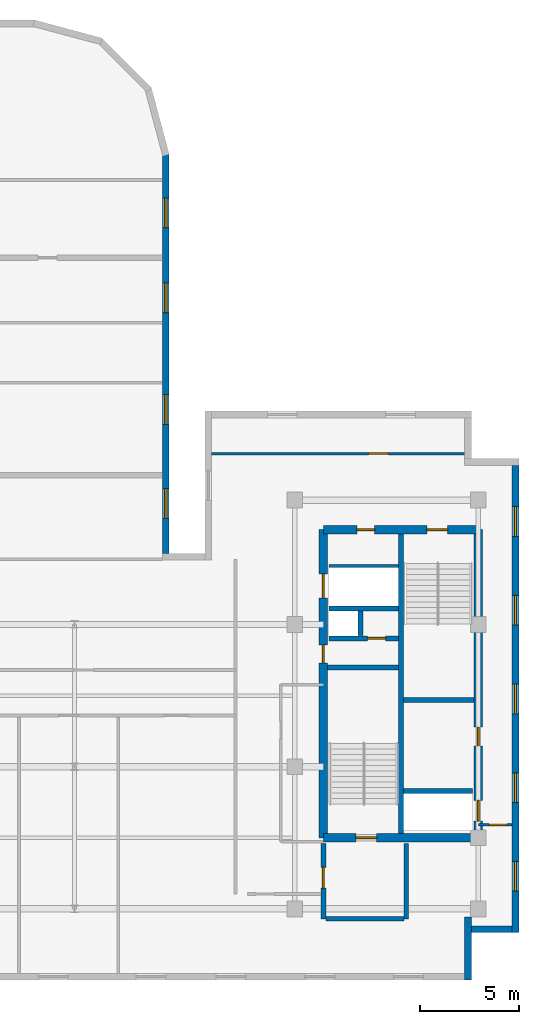
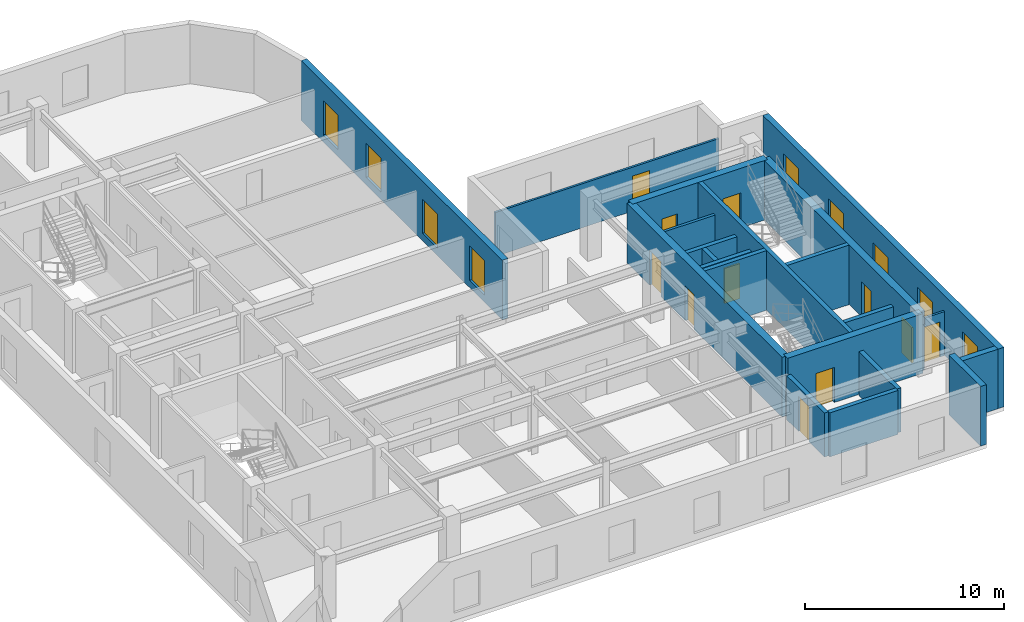
# One storey, part 5 of 10: 21 walls, 11 doors, 9 windows, 20 openings.
"""IFC4 building model written with IfcOpenShell, lengths in metres."""

from ifc_helpers import new_model, entity, si_unit, converted_unit, direction, frame, origin_with_axes, origin_2d_with_axis, place, context, subcontext, project, spatial, polyline, rectangle, outline, extrude, material, layer, layer_set, type_object, element, fill, save


model = new_model("IFC4")

# Units and contexts
model_context = context("Model", 3, precision=1e-05, world=origin_with_axes(), true_north=direction((0.0, 1.0)))
body_context = subcontext(model_context, "Body", "Model", "MODEL_VIEW")
ifc_project = project(units=[si_unit("LENGTHUNIT", "METRE"), si_unit("AREAUNIT", "SQUARE_METRE"), si_unit("VOLUMEUNIT", "CUBIC_METRE"), converted_unit("PLANEANGLEUNIT", "DEGREE", entity("IfcPlaneAngleMeasure", 0.017453292519943295), si_unit("PLANEANGLEUNIT", "RADIAN"), dimensions=[0, 0, 0, 0, 0, 0, 0]), si_unit("MASSUNIT", "GRAM", prefix="KILO"), si_unit("THERMODYNAMICTEMPERATUREUNIT", "KELVIN")], contexts=[model_context])

# Site, building, storey
site_placement = place(None, origin_with_axes())
site = spatial("IfcSite", under=ifc_project, at=site_placement, CompositionType="ELEMENT")
building_placement = place(site_placement, origin_with_axes())
building = spatial("IfcBuilding", under=site, at=building_placement, Name="Varnlund Millrace Tower", CompositionType="ELEMENT")
storey_placement = place(building_placement, frame((0.0, 0.0, 276.3), z_axis=(0.0, 0.0, 1.0), x_axis=(1.0, 0.0, 0.0)))
storey = spatial("IfcBuildingStorey", under=building, at=storey_placement, Name="L68", CompositionType="ELEMENT", Elevation=276.3)

# Wall, openings, doors
ifc_material_1 = material(Name="Concrete C60/75", Category="concrete")
ifc_layer_1 = layer(ifc_material_1, 0.42, Name="Concrete C60/75")
ifc_layer_set_1 = layer_set([ifc_layer_1], Name="Concrete C60/75")
wall_type_1 = type_object("IfcWallType", Name="Type-CoreWall-Shear-420-C60", PredefinedType="SHEAR", material=ifc_layer_set_1)
wall_1_placement = place(storey_placement, frame((40.2, 7.2, 0.0), z_axis=(0.0, 0.0, 1.0), x_axis=(0.0, 1.0, 0.0)))
wall_1 = element("IfcWall", 1, at=wall_1_placement, inside=storey, type_object=wall_type_1, Name="Type-CoreWall-Shear-420-C60", PredefinedType="SHEAR", context=body_context, shape_type="SweptSolid", body=[
    extrude(outline(polyline([(0.0, -0.21), (15.6, -0.21), (15.6, 0.21), (0.0, 0.21), (0.0, -0.21)])), origin_with_axes(), (0.0, 0.0, 1.0), 3.66),
])
opening_1_placement = place(wall_1_placement, frame((12.75, 0.0, 0.0), z_axis=(0.0, 0.0, 1.0), x_axis=(1.0, 0.0, 0.0)))
opening_1 = element("IfcOpeningElement", 2, at=opening_1_placement, cuts=wall_1, Name="Opening L68:LD-SRV2", PredefinedType="OPENING", context=body_context, shape_type="SweptSolid", body=[
    extrude(rectangle(XDim=1.2, YDim=0.44, at=origin_2d_with_axis()), origin_with_axes(), (0.0, 0.0, 1.0), 2.15),
])
opening_2_placement = place(wall_1_placement, frame((9.3, 0.0, 0.0), z_axis=(0.0, 0.0, 1.0), x_axis=(1.0, 0.0, 0.0)))
opening_2 = element("IfcOpeningElement", 3, at=opening_2_placement, cuts=wall_1, Name="Opening L68:DR-CB-JAN", PredefinedType="OPENING", context=body_context, shape_type="SweptSolid", body=[
    extrude(rectangle(XDim=0.9, YDim=0.44, at=origin_2d_with_axis()), origin_with_axes(), (0.0, 0.0, 1.0), 2.15),
])
ifc_material_2 = material(Name="Fire-rated hollow steel service closet door", Category="steel")
door_type_1 = type_object("IfcDoorType", Name="Type-FireDoor-Closet-900X2150", OperationType="NOTDEFINED", PredefinedType="DOOR", material=ifc_material_2)
door_1_placement = place(wall_1_placement, frame((9.3, 0.0, 0.0), z_axis=(0.0, 0.0, 1.0), x_axis=(1.0, 0.0, 0.0)))
door_1 = element("IfcDoor", 4, at=door_1_placement, inside=storey, type_object=door_type_1, Name="Type-FireDoor-Closet-900X2150", OperationType="SINGLE_SWING_RIGHT", OverallHeight=2.15, OverallWidth=0.9, PredefinedType="DOOR", context=body_context, shape_type="SweptSolid", body=[
    extrude(rectangle(XDim=0.9, YDim=0.09, at=origin_2d_with_axis()), origin_with_axes(), (0.0, 0.0, 1.0), 2.15),
])
fill(opening_2, door_1)
ifc_material_3 = material(Name="Heavy-duty freight sliding landing door")
door_type_2 = type_object("IfcDoorType", Name="Type-LiftLandingDoor-Service-1200X2150", OperationType="NOTDEFINED", PredefinedType="DOOR", material=ifc_material_3)
door_2_placement = place(wall_1_placement, frame((12.75, 0.0, 0.0), z_axis=(0.0, 0.0, 1.0), x_axis=(1.0, 0.0, 0.0)))
door_2 = element("IfcDoor", 5, at=door_2_placement, inside=storey, type_object=door_type_2, Name="Type-LiftLandingDoor-Service-1200X2150", OperationType="DOUBLE_DOOR_SLIDING", OverallHeight=2.15, OverallWidth=1.2, PredefinedType="DOOR", context=body_context, shape_type="SweptSolid", body=[
    extrude(rectangle(XDim=1.2, YDim=0.09, at=origin_2d_with_axis()), origin_with_axes(), (0.0, 0.0, 1.0), 2.15),
])
fill(opening_1, door_2)

# Wall, opening, door
wall_2_placement = place(storey_placement, frame((40.2, 7.2, 0.0), z_axis=(0.0, 0.0, 1.0), x_axis=(1.0, 0.0, 0.0)))
wall_2 = element("IfcWall", 6, at=wall_2_placement, inside=storey, type_object=wall_type_1, Name="Type-CoreWall-Shear-420-C60", PredefinedType="SHEAR", context=body_context, shape_type="SweptSolid", body=[
    extrude(outline(polyline([(0.0, -0.21), (7.85, -0.21), (7.85, 0.21), (0.0, 0.21), (0.0, -0.21)])), origin_with_axes(), (0.0, 0.0, 1.0), 3.66),
])
opening_3_placement = place(wall_2_placement, frame((2.175, 0.0, 0.0), z_axis=(0.0, 0.0, 1.0), x_axis=(1.0, 0.0, 0.0)))
opening_3 = element("IfcOpeningElement", 7, at=opening_3_placement, cuts=wall_2, Name="Opening L68:DR-STB1", PredefinedType="OPENING", context=body_context, shape_type="SweptSolid", body=[
    extrude(rectangle(XDim=1.05, YDim=0.44, at=origin_2d_with_axis()), origin_with_axes(), (0.0, 0.0, 1.0), 2.15),
])
ifc_material_4 = material(Name="Fire-rated hollow steel door", Category="steel")
door_type_3 = type_object("IfcDoorType", Name="Type-FireDoor-Stair-1050X2150", OperationType="NOTDEFINED", PredefinedType="DOOR", material=ifc_material_4)
door_3_placement = place(wall_2_placement, frame((2.175, 0.0, 0.0), z_axis=(0.0, 0.0, 1.0), x_axis=(1.0, 0.0, 0.0)))
door_3 = element("IfcDoor", 8, at=door_3_placement, inside=storey, type_object=door_type_3, Name="Type-FireDoor-Stair-1050X2150", OperationType="SINGLE_SWING_LEFT", OverallHeight=2.15, OverallWidth=1.05, PredefinedType="DOOR", context=body_context, shape_type="SweptSolid", body=[
    extrude(rectangle(XDim=1.05, YDim=0.09, at=origin_2d_with_axis()), origin_with_axes(), (0.0, 0.0, 1.0), 2.15),
])
fill(opening_3, door_3)

# Wall, openings, doors
wall_3_placement = place(storey_placement, frame((40.2, 22.8, 0.0), z_axis=(0.0, 0.0, 1.0), x_axis=(1.0, 0.0, 0.0)))
wall_3 = element("IfcWall", 9, at=wall_3_placement, inside=storey, type_object=wall_type_1, Name="Type-CoreWall-Shear-420-C60", PredefinedType="SHEAR", context=body_context, shape_type="SweptSolid", body=[
    extrude(outline(polyline([(0.0, -0.21), (7.85, -0.21), (7.85, 0.21), (0.0, 0.21), (0.0, -0.21)])), origin_with_axes(), (0.0, 0.0, 1.0), 3.66),
])
opening_4_placement = place(wall_3_placement, frame((5.775, 0.0, 0.0), z_axis=(0.0, 0.0, 1.0), x_axis=(1.0, 0.0, 0.0)))
opening_4 = element("IfcOpeningElement", 10, at=opening_4_placement, cuts=wall_3, Name="Opening L68:DR-STB2", PredefinedType="OPENING", context=body_context, shape_type="SweptSolid", body=[
    extrude(rectangle(XDim=1.05, YDim=0.44, at=origin_2d_with_axis()), origin_with_axes(), (0.0, 0.0, 1.0), 2.15),
])
opening_5_placement = place(wall_3_placement, frame((2.15, 0.0, 0.0), z_axis=(0.0, 0.0, 1.0), x_axis=(1.0, 0.0, 0.0)))
opening_5 = element("IfcOpeningElement", 11, at=opening_5_placement, cuts=wall_3, Name="Opening L68:DR-CB-NW", PredefinedType="OPENING", context=body_context, shape_type="SweptSolid", body=[
    extrude(rectangle(XDim=0.9, YDim=0.44, at=origin_2d_with_axis()), origin_with_axes(), (0.0, 0.0, 1.0), 2.15),
])
door_4_placement = place(wall_3_placement, frame((2.15, 0.0, 0.0), z_axis=(0.0, 0.0, 1.0), x_axis=(1.0, 0.0, 0.0)))
door_4 = element("IfcDoor", 12, at=door_4_placement, inside=storey, type_object=door_type_1, Name="Type-FireDoor-Closet-900X2150", OperationType="SINGLE_SWING_LEFT", OverallHeight=2.15, OverallWidth=0.9, PredefinedType="DOOR", context=body_context, shape_type="SweptSolid", body=[
    extrude(rectangle(XDim=0.9, YDim=0.09, at=origin_2d_with_axis()), origin_with_axes(), (0.0, 0.0, 1.0), 2.15),
])
fill(opening_5, door_4)
door_5_placement = place(wall_3_placement, frame((5.775, 0.0, 0.0), z_axis=(0.0, 0.0, 1.0), x_axis=(1.0, 0.0, 0.0)))
door_5 = element("IfcDoor", 13, at=door_5_placement, inside=storey, type_object=door_type_3, Name="Type-FireDoor-Stair-1050X2150", OperationType="SINGLE_SWING_RIGHT", OverallHeight=2.15, OverallWidth=1.05, PredefinedType="DOOR", context=body_context, shape_type="SweptSolid", body=[
    extrude(rectangle(XDim=1.05, YDim=0.09, at=origin_2d_with_axis()), origin_with_axes(), (0.0, 0.0, 1.0), 2.15),
])
fill(opening_4, door_5)

wall_4_placement = place(storey_placement, frame((48.05, 7.2, 0.0), z_axis=(0.0, 0.0, 1.0), x_axis=(0.0, 1.0, 0.0)))
wall_4 = element("IfcWall", 14, at=wall_4_placement, inside=storey, type_object=wall_type_1, Name="Type-CoreWall-Shear-420-C60", PredefinedType="SHEAR", context=body_context, shape_type="SweptSolid", body=[
    extrude(outline(polyline([(0.0, -0.21), (15.6, -0.21), (15.6, 0.21), (0.0, 0.21), (0.0, -0.21)])), origin_with_axes(), (0.0, 0.0, 1.0), 3.66),
])
opening_6_placement = place(wall_4_placement, frame((1.375, 0.0, 0.0), z_axis=(0.0, 0.0, 1.0), x_axis=(1.0, 0.0, 0.0)))
opening_6 = element("IfcOpeningElement", 15, at=opening_6_placement, cuts=wall_4, Name="Opening L68:LD-ELV-H3", PredefinedType="OPENING", context=body_context, shape_type="SweptSolid", body=[
    extrude(rectangle(XDim=1.05, YDim=0.44, at=origin_2d_with_axis()), origin_with_axes(), (0.0, 0.0, 1.0), 2.15),
])
opening_7_placement = place(wall_4_placement, frame((5.125, 0.0, 0.0), z_axis=(0.0, 0.0, 1.0), x_axis=(1.0, 0.0, 0.0)))
opening_7 = element("IfcOpeningElement", 16, at=opening_7_placement, cuts=wall_4, Name="Opening L68:DR-CB-WC", PredefinedType="OPENING", context=body_context, shape_type="SweptSolid", body=[
    extrude(rectangle(XDim=0.95, YDim=0.44, at=origin_2d_with_axis()), origin_with_axes(), (0.0, 0.0, 1.0), 2.15),
])
ifc_material_5 = material(Name="Fire-rated hollow steel core service door", Category="steel")
door_type_4 = type_object("IfcDoorType", Name="Type-FireDoor-Service-950X2150", OperationType="NOTDEFINED", PredefinedType="DOOR", material=ifc_material_5)
door_6_placement = place(wall_4_placement, frame((5.125, 0.0, 0.0), z_axis=(0.0, 0.0, 1.0), x_axis=(1.0, 0.0, 0.0)))
door_6 = element("IfcDoor", 17, at=door_6_placement, inside=storey, type_object=door_type_4, Name="Type-FireDoor-Service-950X2150", OperationType="SINGLE_SWING_LEFT", OverallHeight=2.15, OverallWidth=0.95, PredefinedType="DOOR", context=body_context, shape_type="SweptSolid", body=[
    extrude(rectangle(XDim=0.95, YDim=0.09, at=origin_2d_with_axis()), origin_with_axes(), (0.0, 0.0, 1.0), 2.15),
])
fill(opening_7, door_6)
ifc_material_6 = material(Name="Architectural bronze sliding landing door")
door_type_5 = type_object("IfcDoorType", Name="Type-LiftLandingDoor-Compact-1050X2150", OperationType="NOTDEFINED", PredefinedType="DOOR", material=ifc_material_6)
door_7_placement = place(wall_4_placement, frame((1.375, 0.0, 0.0), z_axis=(0.0, 0.0, 1.0), x_axis=(1.0, 0.0, 0.0)))
door_7 = element("IfcDoor", 18, at=door_7_placement, inside=storey, type_object=door_type_5, Name="Type-LiftLandingDoor-Compact-1050X2150", OperationType="SLIDING_TO_LEFT", OverallHeight=2.15, OverallWidth=1.05, PredefinedType="DOOR", context=body_context, shape_type="SweptSolid", body=[
    extrude(rectangle(XDim=1.05, YDim=0.09, at=origin_2d_with_axis()), origin_with_axes(), (0.0, 0.0, 1.0), 2.15),
])
fill(opening_6, door_7)

# Wall, openings, windows
ifc_material_7 = material(Name="Precast concrete C50/60", Category="concrete")
ifc_layer_2 = layer(ifc_material_7, 0.34, Name="Precast concrete C50/60")
ifc_layer_set_2 = layer_set([ifc_layer_2], Name="Precast concrete C50/60")
wall_type_2 = type_object("IfcWallType", Name="Type-ExtWall-Precast-Upper-340", PredefinedType="SOLIDWALL", material=ifc_layer_set_2)
wall_5_placement = place(storey_placement, frame((49.93, 26.06, 0.0), z_axis=(0.0, 0.0, 1.0), x_axis=(0.0, -1.0, 0.0)))
wall_5 = element("IfcWall", 19, at=wall_5_placement, inside=storey, type_object=wall_type_2, Name="Type-ExtWall-Precast-Upper-340", PredefinedType="SOLIDWALL", context=body_context, shape_type="SweptSolid", body=[
    extrude(outline(polyline([(0.0, -0.17), (23.66, -0.17), (23.66, 0.17), (0.0, 0.17), (0.0, -0.17)])), origin_with_axes(), (0.0, 0.0, 1.0), 3.66),
])
opening_8_placement = place(wall_5_placement, frame((2.846, 0.0, 0.45), z_axis=(0.0, 0.0, 1.0), x_axis=(1.0, 0.0, 0.0)))
opening_8 = element("IfcOpeningElement", 20, at=opening_8_placement, cuts=wall_5, Name="Opening L68:WN-04", PredefinedType="OPENING", context=body_context, shape_type="SweptSolid", body=[
    extrude(rectangle(XDim=1.5, YDim=0.36, at=origin_2d_with_axis()), origin_with_axes(), (0.0, 0.0, 1.0), 2.1),
])
opening_9_placement = place(wall_5_placement, frame((7.338, 0.0, 0.45), z_axis=(0.0, 0.0, 1.0), x_axis=(1.0, 0.0, 0.0)))
opening_9 = element("IfcOpeningElement", 21, at=opening_9_placement, cuts=wall_5, Name="Opening L68:WN-05", PredefinedType="OPENING", context=body_context, shape_type="SweptSolid", body=[
    extrude(rectangle(XDim=1.5, YDim=0.36, at=origin_2d_with_axis()), origin_with_axes(), (0.0, 0.0, 1.0), 2.1),
])
opening_10_placement = place(wall_5_placement, frame((11.83, 0.0, 0.45), z_axis=(0.0, 0.0, 1.0), x_axis=(1.0, 0.0, 0.0)))
opening_10 = element("IfcOpeningElement", 22, at=opening_10_placement, cuts=wall_5, Name="Opening L68:WN-06", PredefinedType="OPENING", context=body_context, shape_type="SweptSolid", body=[
    extrude(rectangle(XDim=1.5, YDim=0.36, at=origin_2d_with_axis()), origin_with_axes(), (0.0, 0.0, 1.0), 2.1),
])
opening_11_placement = place(wall_5_placement, frame((16.322, 0.0, 0.45), z_axis=(0.0, 0.0, 1.0), x_axis=(1.0, 0.0, 0.0)))
opening_11 = element("IfcOpeningElement", 23, at=opening_11_placement, cuts=wall_5, Name="Opening L68:WN-07", PredefinedType="OPENING", context=body_context, shape_type="SweptSolid", body=[
    extrude(rectangle(XDim=1.5, YDim=0.36, at=origin_2d_with_axis()), origin_with_axes(), (0.0, 0.0, 1.0), 2.1),
])
opening_12_placement = place(wall_5_placement, frame((20.814, 0.0, 0.45), z_axis=(0.0, 0.0, 1.0), x_axis=(1.0, 0.0, 0.0)))
opening_12 = element("IfcOpeningElement", 24, at=opening_12_placement, cuts=wall_5, Name="Opening L68:WN-08", PredefinedType="OPENING", context=body_context, shape_type="SweptSolid", body=[
    extrude(rectangle(XDim=1.5, YDim=0.36, at=origin_2d_with_axis()), origin_with_axes(), (0.0, 0.0, 1.0), 2.1),
])
ifc_material_8 = material(Name="Argon low-e triple glazing in thermally broken bronze frame", Category="glass")
window_type = type_object("IfcWindowType", Name="Type-Window-Punched-1500X2100", PartitioningType="SINGLE_PANEL", PredefinedType="WINDOW", material=ifc_material_8)
window_1_placement = place(wall_5_placement, frame((2.846, 0.0, 0.45), z_axis=(0.0, 0.0, 1.0), x_axis=(1.0, 0.0, 0.0)))
window_1 = element("IfcWindow", 25, at=window_1_placement, inside=storey, type_object=window_type, Name="Type-Window-Punched-1500X2100", OverallHeight=2.1, OverallWidth=1.5, PredefinedType="WINDOW", context=body_context, shape_type="SweptSolid", body=[
    extrude(rectangle(XDim=1.5, YDim=0.09, at=origin_2d_with_axis()), origin_with_axes(), (0.0, 0.0, 1.0), 2.1),
])
fill(opening_8, window_1)
window_2_placement = place(wall_5_placement, frame((7.338, 0.0, 0.45), z_axis=(0.0, 0.0, 1.0), x_axis=(1.0, 0.0, 0.0)))
window_2 = element("IfcWindow", 26, at=window_2_placement, inside=storey, type_object=window_type, Name="Type-Window-Punched-1500X2100", OverallHeight=2.1, OverallWidth=1.5, PredefinedType="WINDOW", context=body_context, shape_type="SweptSolid", body=[
    extrude(rectangle(XDim=1.5, YDim=0.09, at=origin_2d_with_axis()), origin_with_axes(), (0.0, 0.0, 1.0), 2.1),
])
fill(opening_9, window_2)
window_3_placement = place(wall_5_placement, frame((11.83, 0.0, 0.45), z_axis=(0.0, 0.0, 1.0), x_axis=(1.0, 0.0, 0.0)))
window_3 = element("IfcWindow", 27, at=window_3_placement, inside=storey, type_object=window_type, Name="Type-Window-Punched-1500X2100", OverallHeight=2.1, OverallWidth=1.5, PredefinedType="WINDOW", context=body_context, shape_type="SweptSolid", body=[
    extrude(rectangle(XDim=1.5, YDim=0.09, at=origin_2d_with_axis()), origin_with_axes(), (0.0, 0.0, 1.0), 2.1),
])
fill(opening_10, window_3)
window_4_placement = place(wall_5_placement, frame((16.322, 0.0, 0.45), z_axis=(0.0, 0.0, 1.0), x_axis=(1.0, 0.0, 0.0)))
window_4 = element("IfcWindow", 28, at=window_4_placement, inside=storey, type_object=window_type, Name="Type-Window-Punched-1500X2100", OverallHeight=2.1, OverallWidth=1.5, PredefinedType="WINDOW", context=body_context, shape_type="SweptSolid", body=[
    extrude(rectangle(XDim=1.5, YDim=0.09, at=origin_2d_with_axis()), origin_with_axes(), (0.0, 0.0, 1.0), 2.1),
])
fill(opening_11, window_4)
window_5_placement = place(wall_5_placement, frame((20.814, 0.0, 0.45), z_axis=(0.0, 0.0, 1.0), x_axis=(1.0, 0.0, 0.0)))
window_5 = element("IfcWindow", 29, at=window_5_placement, inside=storey, type_object=window_type, Name="Type-Window-Punched-1500X2100", OverallHeight=2.1, OverallWidth=1.5, PredefinedType="WINDOW", context=body_context, shape_type="SweptSolid", body=[
    extrude(rectangle(XDim=1.5, YDim=0.09, at=origin_2d_with_axis()), origin_with_axes(), (0.0, 0.0, 1.0), 2.1),
])
fill(opening_12, window_5)

# Walls
wall_6_placement = place(storey_placement, frame((49.76, 2.57, 0.0), z_axis=(0.0, 0.0, 1.0), x_axis=(-1.0, 0.0, 0.0)))
element("IfcWall", 30, at=wall_6_placement, inside=storey, type_object=wall_type_2, Name="Type-ExtWall-Precast-Upper-340", PredefinedType="SOLIDWALL", context=body_context, shape_type="SweptSolid", body=[
    extrude(outline(polyline([(0.0, -0.17), (2.06, -0.17), (2.06, 0.17), (0.0, 0.17), (0.0, -0.17)])), origin_with_axes(), (0.0, 0.0, 1.0), 3.66),
])
wall_7_placement = place(storey_placement, frame((47.53, 3.2, 0.0), z_axis=(0.0, 0.0, 1.0), x_axis=(0.0, -1.0, 0.0)))
element("IfcWall", 31, at=wall_7_placement, inside=storey, type_object=wall_type_2, Name="Type-ExtWall-Precast-Upper-340", PredefinedType="SOLIDWALL", context=body_context, shape_type="SweptSolid", body=[
    extrude(outline(polyline([(0.0, -0.17), (3.2, -0.17), (3.2, 0.17), (0.0, 0.17), (0.0, -0.17)])), origin_with_axes(), (0.0, 0.0, 1.0), 3.66),
])

# Wall, openings, windows
wall_8_placement = place(storey_placement, frame((32.23, 41.82, 0.0), z_axis=(0.0, 0.0, 1.0), x_axis=(0.0, -1.0, 0.0)))
wall_8 = element("IfcWall", 32, at=wall_8_placement, inside=storey, type_object=wall_type_2, Name="Type-ExtWall-Precast-Upper-340", PredefinedType="SOLIDWALL", context=body_context, shape_type="SweptSolid", body=[
    extrude(outline(polyline([(0.0, -0.17), (20.22, -0.17), (20.22, 0.17), (0.0, 0.17), (0.0, -0.17)])), origin_with_axes(), (0.0, 0.0, 1.0), 3.66),
])
opening_13_placement = place(wall_8_placement, frame((2.978, 0.0, 0.45), z_axis=(0.0, 0.0, 1.0), x_axis=(1.0, 0.0, 0.0)))
opening_13 = element("IfcOpeningElement", 33, at=opening_13_placement, cuts=wall_8, Name="Opening L68:WN-27", PredefinedType="OPENING", context=body_context, shape_type="SweptSolid", body=[
    extrude(rectangle(XDim=1.5, YDim=0.36, at=origin_2d_with_axis()), origin_with_axes(), (0.0, 0.0, 1.0), 2.1),
])
opening_14_placement = place(wall_8_placement, frame((7.282, 0.0, 0.45), z_axis=(0.0, 0.0, 1.0), x_axis=(1.0, 0.0, 0.0)))
opening_14 = element("IfcOpeningElement", 34, at=opening_14_placement, cuts=wall_8, Name="Opening L68:WN-28", PredefinedType="OPENING", context=body_context, shape_type="SweptSolid", body=[
    extrude(rectangle(XDim=1.5, YDim=0.36, at=origin_2d_with_axis()), origin_with_axes(), (0.0, 0.0, 1.0), 2.1),
])
opening_15_placement = place(wall_8_placement, frame((12.937, 0.0, 0.45), z_axis=(0.0, 0.0, 1.0), x_axis=(1.0, 0.0, 0.0)))
opening_15 = element("IfcOpeningElement", 35, at=opening_15_placement, cuts=wall_8, Name="Opening L68:WN-29", PredefinedType="OPENING", context=body_context, shape_type="SweptSolid", body=[
    extrude(rectangle(XDim=1.5, YDim=0.36, at=origin_2d_with_axis()), origin_with_axes(), (0.0, 0.0, 1.0), 2.1),
])
opening_16_placement = place(wall_8_placement, frame((17.692, 0.0, 0.45), z_axis=(0.0, 0.0, 1.0), x_axis=(1.0, 0.0, 0.0)))
opening_16 = element("IfcOpeningElement", 36, at=opening_16_placement, cuts=wall_8, Name="Opening L68:WN-30", PredefinedType="OPENING", context=body_context, shape_type="SweptSolid", body=[
    extrude(rectangle(XDim=1.5, YDim=0.36, at=origin_2d_with_axis()), origin_with_axes(), (0.0, 0.0, 1.0), 2.1),
])
window_6_placement = place(wall_8_placement, frame((2.978, 0.0, 0.45), z_axis=(0.0, 0.0, 1.0), x_axis=(1.0, 0.0, 0.0)))
window_6 = element("IfcWindow", 37, at=window_6_placement, inside=storey, type_object=window_type, Name="Type-Window-Punched-1500X2100", OverallHeight=2.1, OverallWidth=1.5, PredefinedType="WINDOW", context=body_context, shape_type="SweptSolid", body=[
    extrude(rectangle(XDim=1.5, YDim=0.09, at=origin_2d_with_axis()), origin_with_axes(), (0.0, 0.0, 1.0), 2.1),
])
fill(opening_13, window_6)
window_7_placement = place(wall_8_placement, frame((7.282, 0.0, 0.45), z_axis=(0.0, 0.0, 1.0), x_axis=(1.0, 0.0, 0.0)))
window_7 = element("IfcWindow", 38, at=window_7_placement, inside=storey, type_object=window_type, Name="Type-Window-Punched-1500X2100", OverallHeight=2.1, OverallWidth=1.5, PredefinedType="WINDOW", context=body_context, shape_type="SweptSolid", body=[
    extrude(rectangle(XDim=1.5, YDim=0.09, at=origin_2d_with_axis()), origin_with_axes(), (0.0, 0.0, 1.0), 2.1),
])
fill(opening_14, window_7)
window_8_placement = place(wall_8_placement, frame((12.937, 0.0, 0.45), z_axis=(0.0, 0.0, 1.0), x_axis=(1.0, 0.0, 0.0)))
window_8 = element("IfcWindow", 39, at=window_8_placement, inside=storey, type_object=window_type, Name="Type-Window-Punched-1500X2100", OverallHeight=2.1, OverallWidth=1.5, PredefinedType="WINDOW", context=body_context, shape_type="SweptSolid", body=[
    extrude(rectangle(XDim=1.5, YDim=0.09, at=origin_2d_with_axis()), origin_with_axes(), (0.0, 0.0, 1.0), 2.1),
])
fill(opening_15, window_8)
window_9_placement = place(wall_8_placement, frame((17.692, 0.0, 0.45), z_axis=(0.0, 0.0, 1.0), x_axis=(1.0, 0.0, 0.0)))
window_9 = element("IfcWindow", 40, at=window_9_placement, inside=storey, type_object=window_type, Name="Type-Window-Punched-1500X2100", OverallHeight=2.1, OverallWidth=1.5, PredefinedType="WINDOW", context=body_context, shape_type="SweptSolid", body=[
    extrude(rectangle(XDim=1.5, YDim=0.09, at=origin_2d_with_axis()), origin_with_axes(), (0.0, 0.0, 1.0), 2.1),
])
fill(opening_16, window_9)

# Wall
ifc_material_9 = material(Name="Fire-rated gypsum board on cold-formed steel framing", Category="steel")
ifc_layer_3 = layer(ifc_material_9, 0.16, Name="Fire-rated gypsum board on cold-formed steel framing")
ifc_layer_set_3 = layer_set([ifc_layer_3], Name="Fire-rated gypsum board on cold-formed steel framing")
wall_type_3 = type_object("IfcWallType", Name="Type-Partition-Corridor-160", PredefinedType="PARTITIONING", material=ifc_layer_set_3)
wall_9_placement = place(storey_placement, frame((40.5, 20.96, 0.0), z_axis=(0.0, 0.0, 1.0), x_axis=(1.0, 0.0, 0.0)))
element("IfcWall", 41, at=wall_9_placement, inside=storey, type_object=wall_type_3, Name="Type-Partition-Corridor-160", PredefinedType="PARTITIONING", context=body_context, shape_type="SweptSolid", body=[
    extrude(outline(polyline([(0.0, -0.08), (3.5, -0.08), (3.5, 0.08), (0.0, 0.08), (0.0, -0.08)])), origin_with_axes(), (0.0, 0.0, 1.0), 2.7),
])

# Wall, opening, door
ifc_material_10 = material(Name="Gypsum board tenant partition", Category="gypsum")
ifc_layer_4 = layer(ifc_material_10, 0.125, Name="Gypsum board tenant partition")
ifc_layer_set_4 = layer_set([ifc_layer_4], Name="Gypsum board tenant partition")
wall_type_4 = type_object("IfcWallType", Name="Type-Partition-Tenant-125", PredefinedType="PARTITIONING", material=ifc_layer_set_4)
wall_10_placement = place(storey_placement, frame((49.765, 7.85, 0.0), z_axis=(0.0, 0.0, 1.0), x_axis=(-1.0, 0.0, 0.0)))
wall_10 = element("IfcWall", 42, at=wall_10_placement, inside=storey, type_object=wall_type_4, Name="Type-Partition-Tenant-125", PredefinedType="PARTITIONING", context=body_context, shape_type="SweptSolid", body=[
    extrude(outline(polyline([(0.0, -0.0625), (1.715, -0.0625), (1.715, 0.0625), (0.0, 0.0625), (0.0, -0.0625)])), origin_with_axes(), (0.0, 0.0, 1.0), 2.7),
])
opening_17_placement = place(wall_10_placement, frame((0.725, 0.0, 0.0), z_axis=(0.0, 0.0, 1.0), x_axis=(1.0, 0.0, 0.0)))
opening_17 = element("IfcOpeningElement", 43, at=opening_17_placement, cuts=wall_10, Name="Opening L68:DR-WBS-01", PredefinedType="OPENING", context=body_context, shape_type="SweptSolid", body=[
    extrude(rectangle(XDim=0.9, YDim=0.145, at=origin_2d_with_axis()), origin_with_axes(), (0.0, 0.0, 1.0), 2.15),
])
ifc_material_11 = material(Name="Painted steel riser and closet door", Category="steel")
door_type_6 = type_object("IfcDoorType", Name="Type-IntDoor-Closet-900X2150", OperationType="NOTDEFINED", PredefinedType="DOOR", material=ifc_material_11)
door_8_placement = place(wall_10_placement, frame((0.725, 0.0, 0.0), z_axis=(0.0, 0.0, 1.0), x_axis=(1.0, 0.0, 0.0)))
door_8 = element("IfcDoor", 44, at=door_8_placement, inside=storey, type_object=door_type_6, Name="Type-IntDoor-Closet-900X2150", OperationType="SINGLE_SWING_LEFT", OverallHeight=2.15, OverallWidth=0.9, PredefinedType="DOOR", context=body_context, shape_type="SweptSolid", body=[
    extrude(rectangle(XDim=0.9, YDim=0.075, at=origin_2d_with_axis()), origin_with_axes(), (0.0, 0.0, 1.0), 2.15),
])
fill(opening_17, door_8)

wall_11_placement = place(storey_placement, frame((34.535, 26.65, 0.0), z_axis=(0.0, 0.0, 1.0), x_axis=(1.0, 0.0, 0.0)))
wall_11 = element("IfcWall", 45, at=wall_11_placement, inside=storey, type_object=wall_type_4, Name="Type-Partition-Tenant-125", PredefinedType="PARTITIONING", context=body_context, shape_type="SweptSolid", body=[
    extrude(outline(polyline([(0.0, -0.0625), (12.995, -0.0625), (12.995, 0.0625), (0.0, 0.0625), (0.0, -0.0625)])), origin_with_axes(), (0.0, 0.0, 1.0), 2.7),
])
opening_18_placement = place(wall_11_placement, frame((8.465, 0.0, 0.0), z_axis=(0.0, 0.0, 1.0), x_axis=(1.0, 0.0, 0.0)))
opening_18 = element("IfcOpeningElement", 46, at=opening_18_placement, cuts=wall_11, Name="Opening L68:DR-WBN-01", PredefinedType="OPENING", context=body_context, shape_type="SweptSolid", body=[
    extrude(rectangle(XDim=1.0, YDim=0.145, at=origin_2d_with_axis()), origin_with_axes(), (0.0, 0.0, 1.0), 2.15),
])
ifc_material_12 = material(Name="Solid-core white oak and bronze frame door")
door_type_7 = type_object("IfcDoorType", Name="Type-IntDoor-Office-1000X2150", OperationType="NOTDEFINED", PredefinedType="DOOR", material=ifc_material_12)
door_9_placement = place(wall_11_placement, frame((8.465, 0.0, 0.0), z_axis=(0.0, 0.0, 1.0), x_axis=(1.0, 0.0, 0.0)))
door_9 = element("IfcDoor", 47, at=door_9_placement, inside=storey, type_object=door_type_7, Name="Type-IntDoor-Office-1000X2150", OperationType="SINGLE_SWING_RIGHT", OverallHeight=2.15, OverallWidth=1.0, PredefinedType="DOOR", context=body_context, shape_type="SweptSolid", body=[
    extrude(rectangle(XDim=1.0, YDim=0.075, at=origin_2d_with_axis()), origin_with_axes(), (0.0, 0.0, 1.0), 2.15),
])
fill(opening_18, door_9)

ifc_layer_5 = layer(ifc_material_1, 0.25, Name="Concrete C60/75")
ifc_layer_set_5 = layer_set([ifc_layer_5], Name="Concrete C60/75")
wall_type_5 = type_object("IfcWallType", Name="Type-ShaftWall-Fire-250", PredefinedType="SOLIDWALL", material=ifc_layer_set_5)
wall_12_placement = place(storey_placement, frame((40.5, 17.3, 0.0), z_axis=(0.0, 0.0, 1.0), x_axis=(1.0, 0.0, 0.0)))
wall_12 = element("IfcWall", 48, at=wall_12_placement, inside=storey, type_object=wall_type_5, Name="Type-ShaftWall-Fire-250", PredefinedType="SOLIDWALL", context=body_context, shape_type="SweptSolid", body=[
    extrude(outline(polyline([(0.0, -0.125), (3.5, -0.125), (3.5, 0.125), (0.0, 0.125), (0.0, -0.125)])), origin_with_axes(), (0.0, 0.0, 1.0), 2.7),
])
opening_19_placement = place(wall_12_placement, frame((2.4, 0.0, 0.0), z_axis=(0.0, 0.0, 1.0), x_axis=(1.0, 0.0, 0.0)))
opening_19 = element("IfcOpeningElement", 49, at=opening_19_placement, cuts=wall_12, Name="Opening L68:DR-CB-ELC", PredefinedType="OPENING", context=body_context, shape_type="SweptSolid", body=[
    extrude(rectangle(XDim=0.9, YDim=0.27, at=origin_2d_with_axis()), origin_with_axes(), (0.0, 0.0, 1.0), 2.15),
])
door_10_placement = place(wall_12_placement, frame((2.4, 0.0, 0.0), z_axis=(0.0, 0.0, 1.0), x_axis=(1.0, 0.0, 0.0)))
door_10 = element("IfcDoor", 50, at=door_10_placement, inside=storey, type_object=door_type_1, Name="Type-FireDoor-Closet-900X2150", OperationType="SINGLE_SWING_LEFT", OverallHeight=2.15, OverallWidth=0.9, PredefinedType="DOOR", context=body_context, shape_type="SweptSolid", body=[
    extrude(rectangle(XDim=0.9, YDim=0.09, at=origin_2d_with_axis()), origin_with_axes(), (0.0, 0.0, 1.0), 2.15),
])
fill(opening_19, door_10)

# Walls
wall_13_placement = place(storey_placement, frame((40.5, 18.8, 0.0), z_axis=(0.0, 0.0, 1.0), x_axis=(1.0, 0.0, 0.0)))
element("IfcWall", 51, at=wall_13_placement, inside=storey, type_object=wall_type_5, Name="Type-ShaftWall-Fire-250", PredefinedType="SOLIDWALL", context=body_context, shape_type="SweptSolid", body=[
    extrude(outline(polyline([(0.0, -0.125), (3.5, -0.125), (3.5, 0.125), (0.0, 0.125), (0.0, -0.125)])), origin_with_axes(), (0.0, 0.0, 1.0), 2.7),
])
wall_14_placement = place(storey_placement, frame((42.075, 17.43, 0.0), z_axis=(0.0, 0.0, 1.0), x_axis=(0.0, 1.0, 0.0)))
element("IfcWall", 52, at=wall_14_placement, inside=storey, type_object=wall_type_5, Name="Type-ShaftWall-Fire-250", PredefinedType="SOLIDWALL", context=body_context, shape_type="SweptSolid", body=[
    extrude(outline(polyline([(0.0, -0.125), (1.24, -0.125), (1.24, 0.125), (0.0, 0.125), (0.0, -0.125)])), origin_with_axes(), (0.0, 0.0, 1.0), 2.7),
])

# Wall, opening, door
wall_15_placement = place(storey_placement, frame((40.2, 3.1, 0.0), z_axis=(0.0, 0.0, 1.0), x_axis=(0.0, 1.0, 0.0)))
wall_15 = element("IfcWall", 53, at=wall_15_placement, inside=storey, type_object=wall_type_5, Name="Type-ShaftWall-Fire-250", PredefinedType="SOLIDWALL", context=body_context, shape_type="SweptSolid", body=[
    extrude(outline(polyline([(0.0, -0.125), (3.8, -0.125), (3.8, 0.125), (0.0, 0.125), (0.0, -0.125)])), origin_with_axes(), (0.0, 0.0, 1.0), 2.7),
])
opening_20_placement = place(wall_15_placement, frame((2.075, 0.0, 0.0), z_axis=(0.0, 0.0, 1.0), x_axis=(1.0, 0.0, 0.0)))
opening_20 = element("IfcOpeningElement", 54, at=opening_20_placement, cuts=wall_15, Name="Opening L68:DR-FFLOB-B", PredefinedType="OPENING", context=body_context, shape_type="SweptSolid", body=[
    extrude(rectangle(XDim=1.05, YDim=0.27, at=origin_2d_with_axis()), origin_with_axes(), (0.0, 0.0, 1.0), 2.15),
])
ifc_material_13 = material(Name="Smoke-barrier hollow steel fire door", Category="steel")
door_type_8 = type_object("IfcDoorType", Name="Type-FireDoor-Lobby-1050X2150", OperationType="NOTDEFINED", PredefinedType="DOOR", material=ifc_material_13)
door_11_placement = place(wall_15_placement, frame((2.075, 0.0, 0.0), z_axis=(0.0, 0.0, 1.0), x_axis=(1.0, 0.0, 0.0)))
door_11 = element("IfcDoor", 55, at=door_11_placement, inside=storey, type_object=door_type_8, Name="Type-FireDoor-Lobby-1050X2150", OperationType="SINGLE_SWING_LEFT", OverallHeight=2.15, OverallWidth=1.05, PredefinedType="DOOR", context=body_context, shape_type="SweptSolid", body=[
    extrude(rectangle(XDim=1.05, YDim=0.09, at=origin_2d_with_axis()), origin_with_axes(), (0.0, 0.0, 1.0), 2.15),
])
fill(opening_20, door_11)

# Walls
wall_16_placement = place(storey_placement, frame((40.325, 3.1, 0.0), z_axis=(0.0, 0.0, 1.0), x_axis=(1.0, 0.0, 0.0)))
element("IfcWall", 56, at=wall_16_placement, inside=storey, type_object=wall_type_5, Name="Type-ShaftWall-Fire-250", PredefinedType="SOLIDWALL", context=body_context, shape_type="SweptSolid", body=[
    extrude(outline(polyline([(0.0, -0.125), (3.95, -0.125), (3.95, 0.125), (0.0, 0.125), (0.0, -0.125)])), origin_with_axes(), (0.0, 0.0, 1.0), 2.7),
])
wall_17_placement = place(storey_placement, frame((44.4, 3.1, 0.0), z_axis=(0.0, 0.0, 1.0), x_axis=(0.0, 1.0, 0.0)))
element("IfcWall", 57, at=wall_17_placement, inside=storey, type_object=wall_type_5, Name="Type-ShaftWall-Fire-250", PredefinedType="SOLIDWALL", context=body_context, shape_type="SweptSolid", body=[
    extrude(outline(polyline([(0.0, -0.125), (3.8, -0.125), (3.8, 0.125), (0.0, 0.125), (0.0, -0.125)])), origin_with_axes(), (0.0, 0.0, 1.0), 2.7),
])
wall_18_placement = place(storey_placement, frame((44.25, 9.56, 0.0), z_axis=(0.0, 0.0, 1.0), x_axis=(1.0, 0.0, 0.0)))
element("IfcWall", 58, at=wall_18_placement, inside=storey, type_object=wall_type_5, Name="Type-ShaftWall-Fire-250", PredefinedType="SOLIDWALL", context=body_context, shape_type="SweptSolid", body=[
    extrude(outline(polyline([(0.0, -0.125), (3.5, -0.125), (3.5, 0.125), (0.0, 0.125), (0.0, -0.125)])), origin_with_axes(), (0.0, 0.0, 1.0), 2.7),
])
wall_type_6 = type_object("IfcWallType", Name="Type-StairWall-Shear-250", PredefinedType="SHEAR", material=ifc_layer_set_5)
wall_19_placement = place(storey_placement, frame((44.125, 7.41, 0.0), z_axis=(0.0, 0.0, 1.0), x_axis=(0.0, 1.0, 0.0)))
element("IfcWall", 59, at=wall_19_placement, inside=storey, type_object=wall_type_6, Name="Type-StairWall-Shear-250", PredefinedType="SHEAR", context=body_context, shape_type="SweptSolid", body=[
    extrude(outline(polyline([(0.0, -0.125), (15.18, -0.125), (15.18, 0.125), (0.0, 0.125), (0.0, -0.125)])), origin_with_axes(), (0.0, 0.0, 1.0), 3.66),
])
for number, where, z_axis, x_axis, name in (
    (60, (40.41, 15.825, 0.0), (0.0, 0.0, 1.0), (1.0, 0.0, 0.0), "Type-StairWall-Shear-250"),
    (61, (44.25, 14.175, 0.0), (0.0, 0.0, 1.0), (1.0, 0.0, 0.0), "Type-StairWall-Shear-250"),
):
    element("IfcWall", number, at=place(storey_placement, frame(where, z_axis=z_axis, x_axis=x_axis)), inside=storey, type_object=wall_type_6, Name=name, PredefinedType="SHEAR", context=body_context, shape_type="SweptSolid", body=[
        extrude(outline(polyline([(0.0, -0.125), (3.59, -0.125), (3.59, 0.125), (0.0, 0.125), (0.0, -0.125)])), origin_with_axes(), (0.0, 0.0, 1.0), 3.66),
    ])

save(model, "model.ifc")
